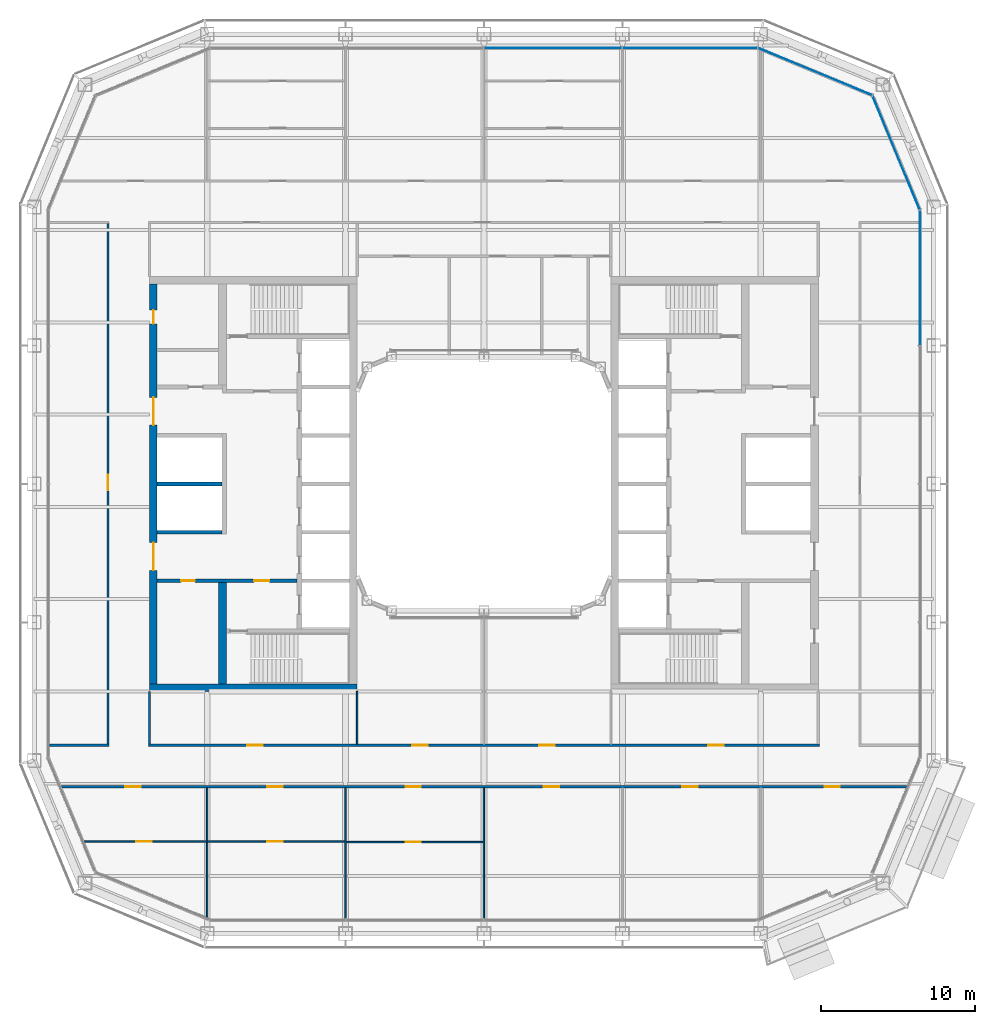
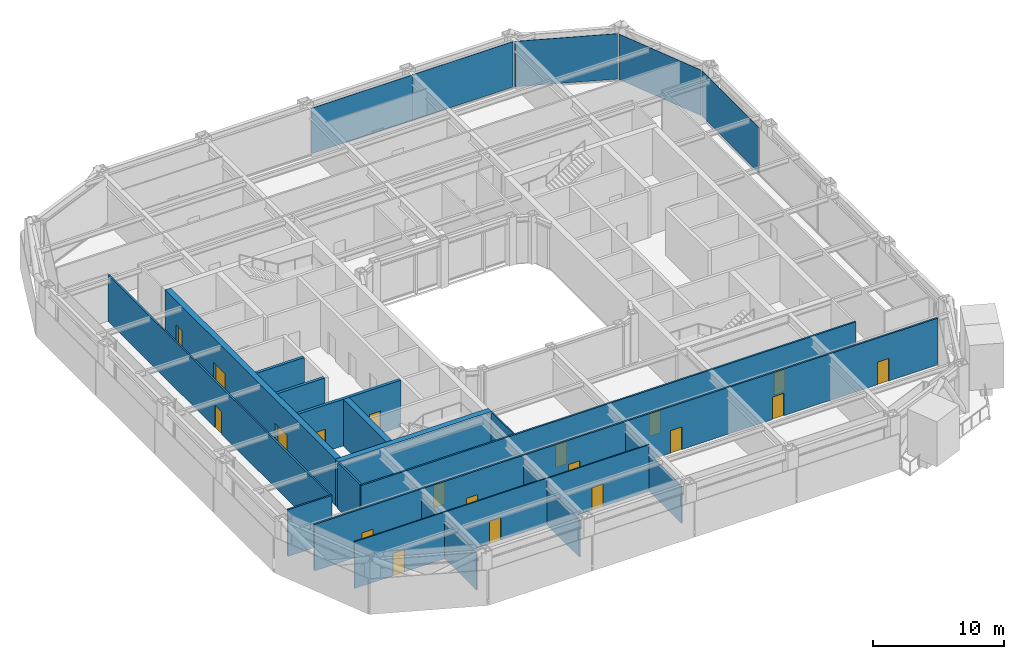
# One storey, part 11 of 23: 19 doors, 18 walls, 5 plates, 19 openings, 4 elements without a shape of their own.
"""IFC4 building model written with IfcOpenShell, lengths in metres."""

from ifc_helpers import new_model, si_unit, direction, frame, frame_2d, origin, origin_2d, place, context, subcontext, project, spatial, rectangle, extrude, material, layer, layer_set, type_object, element, fill, aggregate, save


model = new_model("IFC4")

# Units and contexts
model_context = context("Model", 3, precision=1e-05, world=origin(), true_north=direction((0.0, 1.0)))
body_context = subcontext(model_context, "Body", "Model", "MODEL_VIEW")
ifc_project = project(units=[si_unit("LENGTHUNIT", "METRE"), si_unit("AREAUNIT", "SQUARE_METRE"), si_unit("VOLUMEUNIT", "CUBIC_METRE"), si_unit("PLANEANGLEUNIT", "RADIAN"), si_unit("MASSUNIT", "GRAM", prefix="KILO")], contexts=[model_context])

# Site, building, storey
site_placement = place(None, origin())
site = spatial("IfcSite", under=ifc_project, at=site_placement, CompositionType="ELEMENT")
building_placement = place(site_placement, origin())
building = spatial("IfcBuilding", under=site, at=building_placement, Name="Siwar Civic Tower", CompositionType="ELEMENT")
storey_placement = place(building_placement, frame((0.0, 0.0, 145.199951171875)))
storey = spatial("IfcBuildingStorey", under=building, at=storey_placement, Name="L31", CompositionType="ELEMENT", Elevation=145.199951171875)

# Curtain wall, plate
ifc_material_1 = material(Name="Aluminium and glass", Category="aluminium")
ifc_layer_1 = layer(ifc_material_1, 0.199951171875)
ifc_layer_set_1 = layer_set([ifc_layer_1], Name="Aluminium and glass")
curtain_wall_type_1 = type_object("IfcCurtainWallType", Name="ENV-CW-B", PredefinedType="NOTDEFINED", material=ifc_layer_set_1)
curtain_wall_1_placement = place(storey_placement, origin())
curtain_wall_1 = element("IfcCurtainWall", 1, at=curtain_wall_1_placement, inside=storey, type_object=curtain_wall_type_1, Name="Curtain wall B E", PredefinedType="NOTDEFINED")
ifc_material_2 = material(Name="Glass clear laminated", Category="glass")
ifc_layer_2 = layer(ifc_material_2, 0.033935546875)
ifc_layer_set_2 = layer_set([ifc_layer_2], Name="Glass clear laminated")
plate_type_1 = type_object("IfcPlateType", Name="ENV-PANEL-B", PredefinedType="CURTAIN_PANEL", material=ifc_layer_set_2)
plate_1_placement = place(storey_placement, frame((28.35009765625, 13.369873046875, 0.10986328125), z_axis=(0.0, 0.0, 1.0), x_axis=(0.0, 1.0, 0.0)))
plate_1 = element("IfcPlate", 2, at=plate_1_placement, type_object=plate_type_1, Name="Curtain panel B E 4", PredefinedType="CURTAIN_PANEL", context=body_context, shape_type="SweptSolid", body=[
    extrude(rectangle(XDim=8.6748046875, YDim=0.033935546875, at=origin_2d()), origin(), (0.0, 0.0, 1.0), 4.239990234375),
])
aggregate(curtain_wall_1, [plate_1])

# Curtain wall, plates
curtain_wall_2_placement = place(storey_placement, origin())
curtain_wall_2 = element("IfcCurtainWall", 3, at=curtain_wall_2_placement, inside=storey, type_object=curtain_wall_type_1, Name="Curtain wall B N", PredefinedType="NOTDEFINED")
plate_2_placement = place(storey_placement, frame((13.410400390625, 28.35009765625, 0.10986328125), z_axis=(0.0, 0.0, 1.0), x_axis=(-1.0, 0.0, 0.0)))
plate_2 = element("IfcPlate", 4, at=plate_2_placement, type_object=plate_type_1, Name="Curtain panel B N 1", PredefinedType="CURTAIN_PANEL", context=body_context, shape_type="SweptSolid", body=[
    extrude(rectangle(XDim=8.755859375, YDim=0.033935546875, at=origin_2d()), origin(), (0.0, 0.0, 1.0), 4.239990234375),
])
plate_3_placement = place(storey_placement, frame((4.5, 28.35009765625, 0.10986328125), z_axis=(0.0, 0.0, 1.0), x_axis=(-1.0, 0.0, 0.0)))
plate_3 = element("IfcPlate", 5, at=plate_3_placement, type_object=plate_type_1, Name="Curtain panel B N 2", PredefinedType="CURTAIN_PANEL", context=body_context, shape_type="SweptSolid", body=[
    extrude(rectangle(XDim=8.93505859375, YDim=0.033935546875, at=origin_2d()), origin(), (0.0, 0.0, 1.0), 4.239990234375),
])
aggregate(curtain_wall_2, [plate_2, plate_3])

# Curtain wall, plate
ifc_material_3 = material(Name="Aluminium clad insulated panel", Category="aluminium")
ifc_layer_3 = layer(ifc_material_3, 0.199951171875)
ifc_layer_set_3 = layer_set([ifc_layer_3], Name="Aluminium clad insulated panel")
curtain_wall_type_2 = type_object("IfcCurtainWallType", Name="ENV-CW-BX", PredefinedType="NOTDEFINED", material=ifc_layer_set_3)
curtain_wall_3_placement = place(storey_placement, origin())
curtain_wall_3 = element("IfcCurtainWall", 6, at=curtain_wall_3_placement, inside=storey, type_object=curtain_wall_type_2, Name="Curtain wall B NE1", PredefinedType="NOTDEFINED")
ifc_material_4 = material(Name="Aluminium clad insulated panel", Category="aluminium")
ifc_layer_4 = layer(ifc_material_4, 0.033935546875)
ifc_layer_set_4 = layer_set([ifc_layer_4], Name="Aluminium clad insulated panel")
plate_type_2 = type_object("IfcPlateType", Name="ENV-PANEL-BX", PredefinedType="CURTAIN_PANEL", material=ifc_layer_set_4)
plate_4_placement = place(storey_placement, frame((26.823486328125, 21.506103515625, 0.10986328125), z_axis=(0.0, 0.0, 1.0), x_axis=(-0.382683432365, 0.923879532511, 0.0)))
plate_4 = element("IfcPlate", 7, at=plate_4_placement, type_object=plate_type_2, Name="Curtain panel B NE1 1", PredefinedType="CURTAIN_PANEL", context=body_context, shape_type="SweptSolid", body=[
    extrude(rectangle(XDim=7.912353515625, YDim=0.033935546875, at=origin_2d()), origin(), (0.0, 0.0, 1.0), 4.239990234375),
])
aggregate(curtain_wall_3, [plate_4])

curtain_wall_4_placement = place(storey_placement, origin())
curtain_wall_4 = element("IfcCurtainWall", 8, at=curtain_wall_4_placement, inside=storey, type_object=curtain_wall_type_2, Name="Curtain wall B NE2", PredefinedType="NOTDEFINED")
plate_5_placement = place(storey_placement, frame((21.5810546875, 26.79248046875, 0.10986328125), z_axis=(0.0, 0.0, 1.0), x_axis=(-0.923879532511, 0.382683432365, 0.0)))
plate_5 = element("IfcPlate", 9, at=plate_5_placement, type_object=plate_type_2, Name="Curtain panel B NE2 1", PredefinedType="CURTAIN_PANEL", context=body_context, shape_type="SweptSolid", body=[
    extrude(rectangle(XDim=7.912353515625, YDim=0.033935546875, at=origin_2d()), origin(), (0.0, 0.0, 1.0), 4.239990234375),
])
aggregate(curtain_wall_4, [plate_5])

# Wall, openings, doors
ifc_material_5 = material(Name="Concrete C60/75", Category="concrete")
ifc_layer_5 = layer(ifc_material_5, 0.25)
ifc_layer_set_5 = layer_set([ifc_layer_5], Name="Concrete C60/75")
wall_type_1 = type_object("IfcWallType", Name="CORE-WALL-RC250", PredefinedType="SHEAR", material=ifc_layer_set_5)
wall_1_placement = place(storey_placement, frame((-12.14990234375, -6.300048828125, 0.0), z_axis=(0.0, 0.0, 1.0), x_axis=(-1.0, 0.0, 0.0)))
wall_1 = element("IfcWall", 10, at=wall_1_placement, inside=storey, type_object=wall_type_1, Name="Core wall W", PredefinedType="SHEAR", context=body_context, shape_type="SweptSolid", body=[
    extrude(rectangle(XDim=9.10009765625, YDim=0.25, at=frame_2d((4.550048828125, 0.0))), origin(), (0.0, 0.0, 1.0), 4.35009765625),
])
opening_1_placement = place(wall_1_placement, frame((1.800048828125, 0.0, 0.0)))
opening_1 = element("IfcOpeningElement", 11, at=opening_1_placement, cuts=wall_1, Name="Opening L31-CW02", PredefinedType="OPENING", context=body_context, shape_type="SweptSolid", body=[
    extrude(rectangle(XDim=1.0, YDim=2.10009765625, at=frame_2d((0.5, 1.050048828125))), frame((0.0, 0.135009765625, 0.0), z_axis=(0.0, -1.0, 0.0), x_axis=(1.0, 0.0, 0.0)), (0.0, 0.0, 1.0), 0.27001953125),
])
opening_2_placement = place(wall_1_placement, frame((6.64990234375, 0.0, 0.0)))
opening_2 = element("IfcOpeningElement", 12, at=opening_2_placement, cuts=wall_1, Name="Opening L31-CW15", PredefinedType="OPENING", context=body_context, shape_type="SweptSolid", body=[
    extrude(rectangle(XDim=0.89990234375, YDim=2.10009765625, at=frame_2d((0.449951171875, 1.050048828125))), frame((0.0, 0.135009765625, 0.0), z_axis=(0.0, -1.0, 0.0), x_axis=(1.0, 0.0, 0.0)), (0.0, 0.0, 1.0), 0.27001953125),
])
ifc_material_6 = material(Name="Steel door leaf", Category="steel")
door_type_1 = type_object("IfcDoorType", Name="CORE-DOOR-FD30S", OperationType="SINGLE_SWING_LEFT", PredefinedType="DOOR", material=ifc_material_6)
door_1_placement = place(opening_1_placement, origin())
door_1 = element("IfcDoor", 13, at=door_1_placement, inside=storey, type_object=door_type_1, Name="Service lobby door L31-CW02", OperationType="SINGLE_SWING_RIGHT", OverallHeight=2.10009765625, OverallWidth=1.0, PredefinedType="DOOR", context=body_context, shape_type="SweptSolid", body=[
    extrude(rectangle(XDim=1.0, YDim=2.10009765625, at=frame_2d((0.5, 1.050048828125))), frame((0.0, 0.02490234375, 0.0), z_axis=(0.0, -1.0, 0.0), x_axis=(1.0, 0.0, 0.0)), (0.0, 0.0, 1.0), 0.050048828125),
])
fill(opening_1, door_1)
ifc_material_7 = material(Name="Steel door leaf", Category="steel")
door_type_2 = type_object("IfcDoorType", Name="CORE-DOOR-ROOM", OperationType="SINGLE_SWING_LEFT", PredefinedType="DOOR", material=ifc_material_7)
door_2_placement = place(opening_2_placement, origin())
door_2 = element("IfcDoor", 14, at=door_2_placement, inside=storey, type_object=door_type_2, Name="Core room door L31-CW15", OperationType="SINGLE_SWING_RIGHT", OverallHeight=2.10009765625, OverallWidth=0.89990234375, PredefinedType="DOOR", context=body_context, shape_type="SweptSolid", body=[
    extrude(rectangle(XDim=0.89990234375, YDim=2.10009765625, at=frame_2d((0.449951171875, 1.050048828125))), frame((0.0, 0.02490234375, 0.0), z_axis=(0.0, -1.0, 0.0), x_axis=(1.0, 0.0, 0.0)), (0.0, 0.0, 1.0), 0.050048828125),
])
fill(opening_2, door_2)

# Walls
for number, where, z_axis, x_axis, name in (
    (15, (-17.050048828125, 0.0, 0.0), (0.0, 0.0, 1.0), (-1.0, 0.0, 0.0), "Core wall W"),
    (16, (-17.050048828125, -3.14990234375, 0.0), (0.0, 0.0, 1.0), (-1.0, 0.0, 0.0), "Core wall W"),
):
    element("IfcWall", number, at=place(storey_placement, frame(where, z_axis=z_axis, x_axis=x_axis)), inside=storey, type_object=wall_type_1, Name=name, PredefinedType="SHEAR", context=body_context, shape_type="SweptSolid", body=[
        extrude(rectangle(XDim=4.199951171875, YDim=0.25, at=frame_2d((2.10009765625, 0.0))), origin(), (0.0, 0.0, 1.0), 4.35009765625),
    ])

# Wall, openings, doors
ifc_material_8 = material(Name="Concrete C60/75", Category="concrete")
ifc_layer_6 = layer(ifc_material_8, 0.5)
ifc_layer_set_6 = layer_set([ifc_layer_6], Name="Concrete C60/75")
wall_type_2 = type_object("IfcWallType", Name="CORE-WALL-RC500", PredefinedType="SHEAR", material=ifc_layer_set_6)
wall_2_placement = place(storey_placement, frame((-21.5, -13.0, 0.0), z_axis=(0.0, 0.0, 1.0), x_axis=(0.0, 1.0, 0.0)))
wall_2 = element("IfcWall", 17, at=wall_2_placement, inside=storey, type_object=wall_type_2, Name="Core wall W", PredefinedType="SHEAR", context=body_context, shape_type="SweptSolid", body=[
    extrude(rectangle(XDim=26.0, YDim=0.5, at=frame_2d((13.0, 0.0))), origin(), (0.0, 0.0, 1.0), 4.35009765625),
])
opening_3_placement = place(wall_2_placement, frame((16.824951171875, 0.0, 0.0)))
opening_3 = element("IfcOpeningElement", 18, at=opening_3_placement, cuts=wall_2, Name="Opening L31-CW05", PredefinedType="OPENING", context=body_context, shape_type="SweptSolid", body=[
    extrude(rectangle(XDim=1.800048828125, YDim=2.10009765625, at=frame_2d((0.89990234375, 1.050048828125))), frame((0.0, 0.260009765625, 0.0), z_axis=(0.0, -1.0, 0.0), x_axis=(1.0, 0.0, 0.0)), (0.0, 0.0, 1.0), 0.52001953125),
])
opening_4_placement = place(wall_2_placement, frame((7.375, 0.0, 0.0)))
opening_4 = element("IfcOpeningElement", 19, at=opening_4_placement, cuts=wall_2, Name="Opening L31-CW06", PredefinedType="OPENING", context=body_context, shape_type="SweptSolid", body=[
    extrude(rectangle(XDim=1.800048828125, YDim=2.10009765625, at=frame_2d((0.89990234375, 1.050048828125))), frame((0.0, 0.260009765625, 0.0), z_axis=(0.0, -1.0, 0.0), x_axis=(1.0, 0.0, 0.0)), (0.0, 0.0, 1.0), 0.52001953125),
])
opening_5_placement = place(wall_2_placement, frame((23.39990234375, 0.0, 0.0)))
opening_5 = element("IfcOpeningElement", 20, at=opening_5_placement, cuts=wall_2, Name="Opening L31-CW14", PredefinedType="OPENING", context=body_context, shape_type="SweptSolid", body=[
    extrude(rectangle(XDim=0.89990234375, YDim=2.10009765625, at=frame_2d((0.449951171875, 1.050048828125))), frame((0.0, 0.260009765625, 0.0), z_axis=(0.0, -1.0, 0.0), x_axis=(1.0, 0.0, 0.0)), (0.0, 0.0, 1.0), 0.52001953125),
])
ifc_material_9 = material(Name="Steel door leaf", Category="steel")
door_type_3 = type_object("IfcDoorType", Name="CORE-DOOR-PORT", OperationType="DOUBLE_DOOR_DOUBLE_SWING", PredefinedType="DOOR", material=ifc_material_9)
door_3_placement = place(opening_3_placement, origin())
door_3 = element("IfcDoor", 21, at=door_3_placement, inside=storey, type_object=door_type_3, Name="Core entrance door L31-CW05", OperationType="DOUBLE_DOOR_DOUBLE_SWING", OverallHeight=2.10009765625, OverallWidth=1.800048828125, PredefinedType="DOOR", context=body_context, shape_type="SweptSolid", body=[
    extrude(rectangle(XDim=1.800048828125, YDim=2.10009765625, at=frame_2d((0.89990234375, 1.050048828125))), frame((0.0, 0.02490234375, 0.0), z_axis=(0.0, -1.0, 0.0), x_axis=(1.0, 0.0, 0.0)), (0.0, 0.0, 1.0), 0.050048828125),
])
fill(opening_3, door_3)
door_4_placement = place(opening_4_placement, origin())
door_4 = element("IfcDoor", 22, at=door_4_placement, inside=storey, type_object=door_type_3, Name="Core entrance door L31-CW06", OperationType="DOUBLE_DOOR_DOUBLE_SWING", OverallHeight=2.10009765625, OverallWidth=1.800048828125, PredefinedType="DOOR", context=body_context, shape_type="SweptSolid", body=[
    extrude(rectangle(XDim=1.800048828125, YDim=2.10009765625, at=frame_2d((0.89990234375, 1.050048828125))), frame((0.0, 0.02490234375, 0.0), z_axis=(0.0, -1.0, 0.0), x_axis=(1.0, 0.0, 0.0)), (0.0, 0.0, 1.0), 0.050048828125),
])
fill(opening_4, door_4)
door_5_placement = place(opening_5_placement, origin())
door_5 = element("IfcDoor", 23, at=door_5_placement, inside=storey, type_object=door_type_2, Name="Core room door L31-CW14", OperationType="SINGLE_SWING_LEFT", OverallHeight=2.10009765625, OverallWidth=0.89990234375, PredefinedType="DOOR", context=body_context, shape_type="SweptSolid", body=[
    extrude(rectangle(XDim=0.89990234375, YDim=2.10009765625, at=frame_2d((0.449951171875, 1.050048828125))), frame((0.0, 0.02490234375, 0.0), z_axis=(0.0, -1.0, 0.0), x_axis=(1.0, 0.0, 0.0)), (0.0, 0.0, 1.0), 0.050048828125),
])
fill(opening_5, door_5)

# Walls
wall_3_placement = place(storey_placement, frame((-17.0, -13.0, 0.0), z_axis=(0.0, 0.0, 1.0), x_axis=(0.0, 1.0, 0.0)))
element("IfcWall", 24, at=wall_3_placement, inside=storey, type_object=wall_type_2, Name="Core wall W", PredefinedType="SHEAR", context=body_context, shape_type="SweptSolid", body=[
    extrude(rectangle(XDim=6.574951171875, YDim=0.5, at=frame_2d((3.28759765625, 0.0))), origin(), (0.0, 0.0, 1.0), 4.35009765625),
])
wall_4_placement = place(storey_placement, frame((-8.25, -13.25, 0.0), z_axis=(0.0, 0.0, 1.0), x_axis=(-1.0, 0.0, 0.0)))
element("IfcWall", 25, at=wall_4_placement, inside=storey, type_object=wall_type_2, Name="Core wall W", PredefinedType="SHEAR", context=body_context, shape_type="SweptSolid", body=[
    extrude(rectangle(XDim=13.5, YDim=0.5, at=frame_2d((6.75, 0.0))), origin(), (0.0, 0.0, 1.0), 4.35009765625),
])

# Wall, openings, doors
ifc_material_10 = material(Name="Gypsum board on steel studs", Category="steel")
ifc_layer_7 = layer(ifc_material_10, 0.14990234375)
ifc_layer_set_7 = layer_set([ifc_layer_7], Name="Gypsum board on steel studs")
wall_type_3 = type_object("IfcWallType", Name="CORRIDOR PARTITION 150 EI 30", PredefinedType="PARTITIONING", material=ifc_layer_set_7)
wall_5_placement = place(storey_placement, frame((-27.47412109375, -19.699951171875, 0.0), z_axis=(0.0, 0.0, 1.0), x_axis=(1.0, 0.0, 0.0)))
wall_5 = element("IfcWall", 26, at=wall_5_placement, inside=storey, type_object=wall_type_3, Name="L31/wall/P03", PredefinedType="PARTITIONING", context=body_context, shape_type="SweptSolid", body=[
    extrude(rectangle(XDim=54.9482421875, YDim=0.14990234375, at=frame_2d((27.47412109375, 0.0))), origin(), (0.0, 0.0, 1.0), 4.35009765625),
])
opening_6_placement = place(wall_5_placement, frame((13.3740234375, 0.0, 0.0)))
opening_6 = element("IfcOpeningElement", 27, at=opening_6_placement, cuts=wall_5, Name="Opening D1", PredefinedType="OPENING", context=body_context, shape_type="SweptSolid", body=[
    extrude(rectangle(XDim=1.0, YDim=2.10009765625, at=frame_2d((0.5, 1.050048828125))), frame((0.0, 0.0849609375, 0.0), z_axis=(0.0, -1.0, 0.0), x_axis=(1.0, 0.0, 0.0)), (0.0, 0.0, 1.0), 0.169921875),
])
opening_7_placement = place(wall_5_placement, frame((22.3740234375, 0.0, 0.0)))
opening_7 = element("IfcOpeningElement", 28, at=opening_7_placement, cuts=wall_5, Name="Opening D1", PredefinedType="OPENING", context=body_context, shape_type="SweptSolid", body=[
    extrude(rectangle(XDim=1.0, YDim=2.10009765625, at=frame_2d((0.5, 1.050048828125))), frame((0.0, 0.0849609375, 0.0), z_axis=(0.0, -1.0, 0.0), x_axis=(1.0, 0.0, 0.0)), (0.0, 0.0, 1.0), 0.169921875),
])
opening_8_placement = place(wall_5_placement, frame((31.3740234375, 0.0, 0.0)))
opening_8 = element("IfcOpeningElement", 29, at=opening_8_placement, cuts=wall_5, Name="Opening D1", PredefinedType="OPENING", context=body_context, shape_type="SweptSolid", body=[
    extrude(rectangle(XDim=1.0, YDim=2.10009765625, at=frame_2d((0.5, 1.050048828125))), frame((0.0, 0.0849609375, 0.0), z_axis=(0.0, -1.0, 0.0), x_axis=(1.0, 0.0, 0.0)), (0.0, 0.0, 1.0), 0.169921875),
])
opening_9_placement = place(wall_5_placement, frame((40.3740234375, 0.0, 0.0)))
opening_9 = element("IfcOpeningElement", 30, at=opening_9_placement, cuts=wall_5, Name="Opening D1", PredefinedType="OPENING", context=body_context, shape_type="SweptSolid", body=[
    extrude(rectangle(XDim=1.0, YDim=2.10009765625, at=frame_2d((0.5, 1.050048828125))), frame((0.0, 0.0849609375, 0.0), z_axis=(0.0, -1.0, 0.0), x_axis=(1.0, 0.0, 0.0)), (0.0, 0.0, 1.0), 0.169921875),
])
opening_10_placement = place(wall_5_placement, frame((4.14990234375, 0.0, 0.0)))
opening_10 = element("IfcOpeningElement", 31, at=opening_10_placement, cuts=wall_5, Name="Opening D1", PredefinedType="OPENING", context=body_context, shape_type="SweptSolid", body=[
    extrude(rectangle(XDim=1.0, YDim=2.10009765625, at=frame_2d((0.5, 1.050048828125))), frame((0.0, 0.0849609375, 0.0), z_axis=(0.0, -1.0, 0.0), x_axis=(1.0, 0.0, 0.0)), (0.0, 0.0, 1.0), 0.169921875),
])
opening_11_placement = place(wall_5_placement, frame((49.6240234375, 0.0, 0.0)))
opening_11 = element("IfcOpeningElement", 32, at=opening_11_placement, cuts=wall_5, Name="Opening D1", PredefinedType="OPENING", context=body_context, shape_type="SweptSolid", body=[
    extrude(rectangle(XDim=1.0, YDim=2.10009765625, at=frame_2d((0.5, 1.050048828125))), frame((0.0, 0.0849609375, 0.0), z_axis=(0.0, -1.0, 0.0), x_axis=(1.0, 0.0, 0.0)), (0.0, 0.0, 1.0), 0.169921875),
])
ifc_material_11 = material(Name="Timber, painted", Category="wood")
door_type_4 = type_object("IfcDoorType", Name="DOOR 1000 X 2100 FD30", OperationType="SINGLE_SWING_LEFT", PredefinedType="DOOR", material=ifc_material_11)
door_6_placement = place(opening_6_placement, origin())
door_6 = element("IfcDoor", 33, at=door_6_placement, inside=storey, type_object=door_type_4, Name="L31-D09", OperationType="SINGLE_SWING_LEFT", OverallHeight=2.10009765625, OverallWidth=1.0, PredefinedType="DOOR", context=body_context, shape_type="SweptSolid", body=[
    extrude(rectangle(XDim=1.0, YDim=2.10009765625, at=frame_2d((0.5, 1.050048828125))), frame((0.0, 0.02490234375, 0.0), z_axis=(0.0, -1.0, 0.0), x_axis=(1.0, 0.0, 0.0)), (0.0, 0.0, 1.0), 0.050048828125),
])
fill(opening_6, door_6)
door_7_placement = place(opening_7_placement, origin())
door_7 = element("IfcDoor", 34, at=door_7_placement, inside=storey, type_object=door_type_4, Name="L31-D11", OperationType="SINGLE_SWING_LEFT", OverallHeight=2.10009765625, OverallWidth=1.0, PredefinedType="DOOR", context=body_context, shape_type="SweptSolid", body=[
    extrude(rectangle(XDim=1.0, YDim=2.10009765625, at=frame_2d((0.5, 1.050048828125))), frame((0.0, 0.02490234375, 0.0), z_axis=(0.0, -1.0, 0.0), x_axis=(1.0, 0.0, 0.0)), (0.0, 0.0, 1.0), 0.050048828125),
])
fill(opening_7, door_7)
door_8_placement = place(opening_8_placement, origin())
door_8 = element("IfcDoor", 35, at=door_8_placement, inside=storey, type_object=door_type_4, Name="L31-D13", OperationType="SINGLE_SWING_LEFT", OverallHeight=2.10009765625, OverallWidth=1.0, PredefinedType="DOOR", context=body_context, shape_type="SweptSolid", body=[
    extrude(rectangle(XDim=1.0, YDim=2.10009765625, at=frame_2d((0.5, 1.050048828125))), frame((0.0, 0.02490234375, 0.0), z_axis=(0.0, -1.0, 0.0), x_axis=(1.0, 0.0, 0.0)), (0.0, 0.0, 1.0), 0.050048828125),
])
fill(opening_8, door_8)
door_9_placement = place(opening_9_placement, origin())
door_9 = element("IfcDoor", 36, at=door_9_placement, inside=storey, type_object=door_type_4, Name="L31-D14", OperationType="SINGLE_SWING_RIGHT", OverallHeight=2.10009765625, OverallWidth=1.0, PredefinedType="DOOR", context=body_context, shape_type="SweptSolid", body=[
    extrude(rectangle(XDim=1.0, YDim=2.10009765625, at=frame_2d((0.5, 1.050048828125))), frame((0.0, 0.02490234375, 0.0), z_axis=(0.0, -1.0, 0.0), x_axis=(1.0, 0.0, 0.0)), (0.0, 0.0, 1.0), 0.050048828125),
])
fill(opening_9, door_9)
door_10_placement = place(opening_10_placement, origin())
door_10 = element("IfcDoor", 37, at=door_10_placement, inside=storey, type_object=door_type_4, Name="L31-D17", OperationType="SINGLE_SWING_LEFT", OverallHeight=2.10009765625, OverallWidth=1.0, PredefinedType="DOOR", context=body_context, shape_type="SweptSolid", body=[
    extrude(rectangle(XDim=1.0, YDim=2.10009765625, at=frame_2d((0.5, 1.050048828125))), frame((0.0, 0.02490234375, 0.0), z_axis=(0.0, -1.0, 0.0), x_axis=(1.0, 0.0, 0.0)), (0.0, 0.0, 1.0), 0.050048828125),
])
fill(opening_10, door_10)
door_11_placement = place(opening_11_placement, origin())
door_11 = element("IfcDoor", 38, at=door_11_placement, inside=storey, type_object=door_type_4, Name="L31-D19", OperationType="SINGLE_SWING_LEFT", OverallHeight=2.10009765625, OverallWidth=1.0, PredefinedType="DOOR", context=body_context, shape_type="SweptSolid", body=[
    extrude(rectangle(XDim=1.0, YDim=2.10009765625, at=frame_2d((0.5, 1.050048828125))), frame((0.0, 0.02490234375, 0.0), z_axis=(0.0, -1.0, 0.0), x_axis=(1.0, 0.0, 0.0)), (0.0, 0.0, 1.0), 0.050048828125),
])
fill(opening_11, door_11)

# Wall
wall_6_placement = place(storey_placement, frame((-28.260009765625, -17.0, 0.0), z_axis=(0.0, 0.0, 1.0), x_axis=(1.0, 0.0, 0.0)))
element("IfcWall", 39, at=wall_6_placement, inside=storey, type_object=wall_type_3, Name="L31/wall/P04", PredefinedType="PARTITIONING", context=body_context, shape_type="SweptSolid", body=[
    extrude(rectangle(XDim=3.885009765625, YDim=0.14990234375, at=frame_2d((1.9423828125, 0.0))), origin(), (0.0, 0.0, 1.0), 4.35009765625),
])

# Wall, openings, doors
wall_7_placement = place(storey_placement, frame((-21.824951171875, -17.0, 0.0), z_axis=(0.0, 0.0, 1.0), x_axis=(1.0, 0.0, 0.0)))
wall_7 = element("IfcWall", 40, at=wall_7_placement, inside=storey, type_object=wall_type_3, Name="L31/wall/P05", PredefinedType="PARTITIONING", context=body_context, shape_type="SweptSolid", body=[
    extrude(rectangle(XDim=43.64990234375, YDim=0.14990234375, at=frame_2d((21.824951171875, 0.0))), origin(), (0.0, 0.0, 1.0), 4.35009765625),
])
opening_12_placement = place(wall_7_placement, frame((17.175048828125, 0.0, 0.0)))
opening_12 = element("IfcOpeningElement", 41, at=opening_12_placement, cuts=wall_7, Name="Opening D1", PredefinedType="OPENING", context=body_context, shape_type="SweptSolid", body=[
    extrude(rectangle(XDim=1.0, YDim=2.10009765625, at=frame_2d((0.5, 1.050048828125))), frame((0.0, 0.0849609375, 0.0), z_axis=(0.0, -1.0, 0.0), x_axis=(1.0, 0.0, 0.0)), (0.0, 0.0, 1.0), 0.169921875),
])
opening_13_placement = place(wall_7_placement, frame((25.425048828125, 0.0, 0.0)))
opening_13 = element("IfcOpeningElement", 42, at=opening_13_placement, cuts=wall_7, Name="Opening D1", PredefinedType="OPENING", context=body_context, shape_type="SweptSolid", body=[
    extrude(rectangle(XDim=1.0, YDim=2.10009765625, at=frame_2d((0.5, 1.050048828125))), frame((0.0, 0.0849609375, 0.0), z_axis=(0.0, -1.0, 0.0), x_axis=(1.0, 0.0, 0.0)), (0.0, 0.0, 1.0), 0.169921875),
])
opening_14_placement = place(wall_7_placement, frame((6.425048828125, 0.0, 0.0)))
opening_14 = element("IfcOpeningElement", 43, at=opening_14_placement, cuts=wall_7, Name="Opening D1", PredefinedType="OPENING", context=body_context, shape_type="SweptSolid", body=[
    extrude(rectangle(XDim=1.0, YDim=2.10009765625, at=frame_2d((0.5, 1.050048828125))), frame((0.0, 0.0849609375, 0.0), z_axis=(0.0, -1.0, 0.0), x_axis=(1.0, 0.0, 0.0)), (0.0, 0.0, 1.0), 0.169921875),
])
opening_15_placement = place(wall_7_placement, frame((36.425048828125, 0.0, 0.0)))
opening_15 = element("IfcOpeningElement", 44, at=opening_15_placement, cuts=wall_7, Name="Opening D1", PredefinedType="OPENING", context=body_context, shape_type="SweptSolid", body=[
    extrude(rectangle(XDim=1.0, YDim=2.10009765625, at=frame_2d((0.5, 1.050048828125))), frame((0.0, 0.0849609375, 0.0), z_axis=(0.0, -1.0, 0.0), x_axis=(1.0, 0.0, 0.0)), (0.0, 0.0, 1.0), 0.169921875),
])
door_12_placement = place(opening_12_placement, origin())
door_12 = element("IfcDoor", 45, at=door_12_placement, inside=storey, type_object=door_type_4, Name="L31-D25", OperationType="SINGLE_SWING_LEFT", OverallHeight=2.10009765625, OverallWidth=1.0, PredefinedType="DOOR", context=body_context, shape_type="SweptSolid", body=[
    extrude(rectangle(XDim=1.0, YDim=2.10009765625, at=frame_2d((0.5, 1.050048828125))), frame((0.0, 0.02490234375, 0.0), z_axis=(0.0, -1.0, 0.0), x_axis=(1.0, 0.0, 0.0)), (0.0, 0.0, 1.0), 0.050048828125),
])
fill(opening_12, door_12)
door_13_placement = place(opening_13_placement, origin())
door_13 = element("IfcDoor", 46, at=door_13_placement, inside=storey, type_object=door_type_4, Name="L31-D26", OperationType="SINGLE_SWING_RIGHT", OverallHeight=2.10009765625, OverallWidth=1.0, PredefinedType="DOOR", context=body_context, shape_type="SweptSolid", body=[
    extrude(rectangle(XDim=1.0, YDim=2.10009765625, at=frame_2d((0.5, 1.050048828125))), frame((0.0, 0.02490234375, 0.0), z_axis=(0.0, -1.0, 0.0), x_axis=(1.0, 0.0, 0.0)), (0.0, 0.0, 1.0), 0.050048828125),
])
fill(opening_13, door_13)
door_14_placement = place(opening_14_placement, origin())
door_14 = element("IfcDoor", 47, at=door_14_placement, inside=storey, type_object=door_type_4, Name="L31-D29", OperationType="SINGLE_SWING_LEFT", OverallHeight=2.10009765625, OverallWidth=1.0, PredefinedType="DOOR", context=body_context, shape_type="SweptSolid", body=[
    extrude(rectangle(XDim=1.0, YDim=2.10009765625, at=frame_2d((0.5, 1.050048828125))), frame((0.0, 0.02490234375, 0.0), z_axis=(0.0, -1.0, 0.0), x_axis=(1.0, 0.0, 0.0)), (0.0, 0.0, 1.0), 0.050048828125),
])
fill(opening_14, door_14)
door_15_placement = place(opening_15_placement, origin())
door_15 = element("IfcDoor", 48, at=door_15_placement, inside=storey, type_object=door_type_4, Name="L31-D30", OperationType="SINGLE_SWING_RIGHT", OverallHeight=2.10009765625, OverallWidth=1.0, PredefinedType="DOOR", context=body_context, shape_type="SweptSolid", body=[
    extrude(rectangle(XDim=1.0, YDim=2.10009765625, at=frame_2d((0.5, 1.050048828125))), frame((0.0, 0.02490234375, 0.0), z_axis=(0.0, -1.0, 0.0), x_axis=(1.0, 0.0, 0.0)), (0.0, 0.0, 1.0), 0.050048828125),
])
fill(opening_15, door_15)

# Wall, opening, door
wall_8_placement = place(storey_placement, frame((-24.449951171875, -16.925048828125, 0.0), z_axis=(0.0, 0.0, 1.0), x_axis=(0.0, 1.0, 0.0)))
wall_8 = element("IfcWall", 49, at=wall_8_placement, inside=storey, type_object=wall_type_3, Name="L31/wall/P17", PredefinedType="PARTITIONING", context=body_context, shape_type="SweptSolid", body=[
    extrude(rectangle(XDim=33.85009765625, YDim=0.14990234375, at=frame_2d((16.925048828125, 0.0))), origin(), (0.0, 0.0, 1.0), 4.35009765625),
])
opening_16_placement = place(wall_8_placement, frame((16.52490234375, 0.0, 0.0)))
opening_16 = element("IfcOpeningElement", 50, at=opening_16_placement, cuts=wall_8, Name="Opening D1", PredefinedType="OPENING", context=body_context, shape_type="SweptSolid", body=[
    extrude(rectangle(XDim=1.0, YDim=2.10009765625, at=frame_2d((0.5, 1.050048828125))), frame((0.0, 0.0849609375, 0.0), z_axis=(0.0, -1.0, 0.0), x_axis=(1.0, 0.0, 0.0)), (0.0, 0.0, 1.0), 0.169921875),
])
door_16_placement = place(opening_16_placement, origin())
door_16 = element("IfcDoor", 51, at=door_16_placement, inside=storey, type_object=door_type_4, Name="L31-D31", OperationType="SINGLE_SWING_LEFT", OverallHeight=2.10009765625, OverallWidth=1.0, PredefinedType="DOOR", context=body_context, shape_type="SweptSolid", body=[
    extrude(rectangle(XDim=1.0, YDim=2.10009765625, at=frame_2d((0.5, 1.050048828125))), frame((0.0, 0.02490234375, 0.0), z_axis=(0.0, -1.0, 0.0), x_axis=(1.0, 0.0, 0.0)), (0.0, 0.0, 1.0), 0.050048828125),
])
fill(opening_16, door_16)

# Wall
wall_9_placement = place(storey_placement, frame((-21.75, -16.925048828125, 0.0), z_axis=(0.0, 0.0, 1.0), x_axis=(0.0, 1.0, 0.0)))
element("IfcWall", 52, at=wall_9_placement, inside=storey, type_object=wall_type_3, Name="L31/wall/P18", PredefinedType="PARTITIONING", context=body_context, shape_type="SweptSolid", body=[
    extrude(rectangle(XDim=3.425048828125, YDim=0.14990234375, at=frame_2d((1.71240234375, 0.0))), origin(), (0.0, 0.0, 1.0), 4.35009765625),
])

# Wall, opening, door
ifc_material_12 = material(Name="Gypsum board on steel studs", Category="steel")
ifc_layer_8 = layer(ifc_material_12, 0.10009765625)
ifc_layer_set_8 = layer_set([ifc_layer_8], Name="Gypsum board on steel studs")
wall_type_4 = type_object("IfcWallType", Name="PARTITION 100 GYPSUM", PredefinedType="PARTITIONING", material=ifc_layer_set_8)
wall_10_placement = place(storey_placement, frame((-8.949951171875, -23.294921875, 0.0), z_axis=(0.0, 0.0, 1.0), x_axis=(1.0, 0.0, 0.0)))
wall_10 = element("IfcWall", 53, at=wall_10_placement, inside=storey, type_object=wall_type_4, Name="L31/wall/P01", PredefinedType="PARTITIONING", context=body_context, shape_type="SweptSolid", body=[
    extrude(rectangle(XDim=8.89990234375, YDim=0.10009765625, at=frame_2d((4.449951171875, 0.0))), origin(), (0.0, 0.0, 1.0), 4.35009765625),
])
opening_17_placement = place(wall_10_placement, frame((3.85009765625, 0.0, 0.0)))
opening_17 = element("IfcOpeningElement", 54, at=opening_17_placement, cuts=wall_10, Name="Opening D2", PredefinedType="OPENING", context=body_context, shape_type="SweptSolid", body=[
    extrude(rectangle(XDim=1.0, YDim=2.10009765625, at=frame_2d((0.5, 1.050048828125))), frame((0.0, 0.06005859375, 0.0), z_axis=(0.0, -1.0, 0.0), x_axis=(1.0, 0.0, 0.0)), (0.0, 0.0, 1.0), 0.1201171875),
])
ifc_material_13 = material(Name="Timber, painted", Category="wood")
door_type_5 = type_object("IfcDoorType", Name="DOOR 1000 X 2100", OperationType="SINGLE_SWING_LEFT", PredefinedType="DOOR", material=ifc_material_13)
door_17_placement = place(opening_17_placement, origin())
door_17 = element("IfcDoor", 55, at=door_17_placement, inside=storey, type_object=door_type_5, Name="L31-D12", OperationType="SINGLE_SWING_RIGHT", OverallHeight=2.10009765625, OverallWidth=1.0, PredefinedType="DOOR", context=body_context, shape_type="SweptSolid", body=[
    extrude(rectangle(XDim=1.0, YDim=2.10009765625, at=frame_2d((0.5, 1.050048828125))), frame((0.0, 0.02490234375, 0.0), z_axis=(0.0, -1.0, 0.0), x_axis=(1.0, 0.0, 0.0)), (0.0, 0.0, 1.0), 0.050048828125),
])
fill(opening_17, door_17)

# Wall, openings, doors
wall_11_placement = place(storey_placement, frame((-25.9990234375, -23.260986328125, 0.0), z_axis=(0.0, 0.0, 1.0), x_axis=(1.0, 0.0, 0.0)))
wall_11 = element("IfcWall", 56, at=wall_11_placement, inside=storey, type_object=wall_type_4, Name="L31/wall/P02", PredefinedType="PARTITIONING", context=body_context, shape_type="SweptSolid", body=[
    extrude(rectangle(XDim=16.948974609375, YDim=0.10009765625, at=frame_2d((8.474609375, 0.0))), origin(), (0.0, 0.0, 1.0), 4.35009765625),
])
opening_18_placement = place(wall_11_placement, frame((11.89892578125, 0.0, 0.0)))
opening_18 = element("IfcOpeningElement", 57, at=opening_18_placement, cuts=wall_11, Name="Opening D2", PredefinedType="OPENING", context=body_context, shape_type="SweptSolid", body=[
    extrude(rectangle(XDim=1.0, YDim=2.10009765625, at=frame_2d((0.5, 1.050048828125))), frame((0.0, 0.06005859375, 0.0), z_axis=(0.0, -1.0, 0.0), x_axis=(1.0, 0.0, 0.0)), (0.0, 0.0, 1.0), 0.1201171875),
])
opening_19_placement = place(wall_11_placement, frame((3.39990234375, 0.0, 0.0)))
opening_19 = element("IfcOpeningElement", 58, at=opening_19_placement, cuts=wall_11, Name="Opening D2", PredefinedType="OPENING", context=body_context, shape_type="SweptSolid", body=[
    extrude(rectangle(XDim=1.0, YDim=2.10009765625, at=frame_2d((0.5, 1.050048828125))), frame((0.0, 0.06005859375, 0.0), z_axis=(0.0, -1.0, 0.0), x_axis=(1.0, 0.0, 0.0)), (0.0, 0.0, 1.0), 0.1201171875),
])
door_18_placement = place(opening_18_placement, origin())
door_18 = element("IfcDoor", 59, at=door_18_placement, inside=storey, type_object=door_type_5, Name="L31-D10", OperationType="SINGLE_SWING_RIGHT", OverallHeight=2.10009765625, OverallWidth=1.0, PredefinedType="DOOR", context=body_context, shape_type="SweptSolid", body=[
    extrude(rectangle(XDim=1.0, YDim=2.10009765625, at=frame_2d((0.5, 1.050048828125))), frame((0.0, 0.02490234375, 0.0), z_axis=(0.0, -1.0, 0.0), x_axis=(1.0, 0.0, 0.0)), (0.0, 0.0, 1.0), 0.050048828125),
])
fill(opening_18, door_18)
door_19_placement = place(opening_19_placement, origin())
door_19 = element("IfcDoor", 60, at=door_19_placement, inside=storey, type_object=door_type_5, Name="L31-D18", OperationType="SINGLE_SWING_RIGHT", OverallHeight=2.10009765625, OverallWidth=1.0, PredefinedType="DOOR", context=body_context, shape_type="SweptSolid", body=[
    extrude(rectangle(XDim=1.0, YDim=2.10009765625, at=frame_2d((0.5, 1.050048828125))), frame((0.0, 0.02490234375, 0.0), z_axis=(0.0, -1.0, 0.0), x_axis=(1.0, 0.0, 0.0)), (0.0, 0.0, 1.0), 0.050048828125),
])
fill(opening_19, door_19)

# Walls
wall_12_placement = place(storey_placement, frame((-18.0, -28.177978515625, 0.0), z_axis=(0.0, 0.0, 1.0), x_axis=(0.0, 1.0, 0.0)))
element("IfcWall", 61, at=wall_12_placement, inside=storey, type_object=wall_type_4, Name="L31/wall/P20", PredefinedType="PARTITIONING", context=body_context, shape_type="SweptSolid", body=[
    extrude(rectangle(XDim=4.866943359375, YDim=0.10009765625, at=frame_2d((2.43359375, 0.0))), origin(), (0.0, 0.0, 1.0), 3.449951171875),
])
wall_13_placement = place(storey_placement, frame((-18.0, -23.2109375, 0.0), z_axis=(0.0, 0.0, 1.0), x_axis=(0.0, 1.0, 0.0)))
element("IfcWall", 62, at=wall_13_placement, inside=storey, type_object=wall_type_4, Name="L31/wall/P21", PredefinedType="PARTITIONING", context=body_context, shape_type="SweptSolid", body=[
    extrude(rectangle(XDim=3.43603515625, YDim=0.10009765625, at=frame_2d((1.718017578125, 0.0))), origin(), (0.0, 0.0, 1.0), 3.449951171875),
])
wall_14_placement = place(storey_placement, frame((-9.0, -28.260009765625, 0.0), z_axis=(0.0, 0.0, 1.0), x_axis=(0.0, 1.0, 0.0)))
element("IfcWall", 63, at=wall_14_placement, inside=storey, type_object=wall_type_4, Name="L31/wall/P23", PredefinedType="PARTITIONING", context=body_context, shape_type="SweptSolid", body=[
    extrude(rectangle(XDim=8.485107421875, YDim=0.10009765625, at=frame_2d((4.24267578125, 0.0))), origin(), (0.0, 0.0, 1.0), 3.449951171875),
])
wall_15_placement = place(storey_placement, frame((-8.25, -16.925048828125, 0.0), z_axis=(0.0, 0.0, 1.0), x_axis=(0.0, 1.0, 0.0)))
element("IfcWall", 64, at=wall_15_placement, inside=storey, type_object=wall_type_4, Name="L31/wall/P25", PredefinedType="PARTITIONING", context=body_context, shape_type="SweptSolid", body=[
    extrude(rectangle(XDim=3.425048828125, YDim=0.10009765625, at=frame_2d((1.71240234375, 0.0))), origin(), (0.0, 0.0, 1.0), 4.35009765625),
])
wall_16_placement = place(storey_placement, frame((0.0, -28.260009765625, 0.0), z_axis=(0.0, 0.0, 1.0), x_axis=(0.0, 1.0, 0.0)))
element("IfcWall", 65, at=wall_16_placement, inside=storey, type_object=wall_type_4, Name="L31/wall/P28", PredefinedType="PARTITIONING", context=body_context, shape_type="SweptSolid", body=[
    extrude(rectangle(XDim=8.485107421875, YDim=0.10009765625, at=frame_2d((4.24267578125, 0.0))), origin(), (0.0, 0.0, 1.0), 3.449951171875),
])

save(model, "model.ifc")
